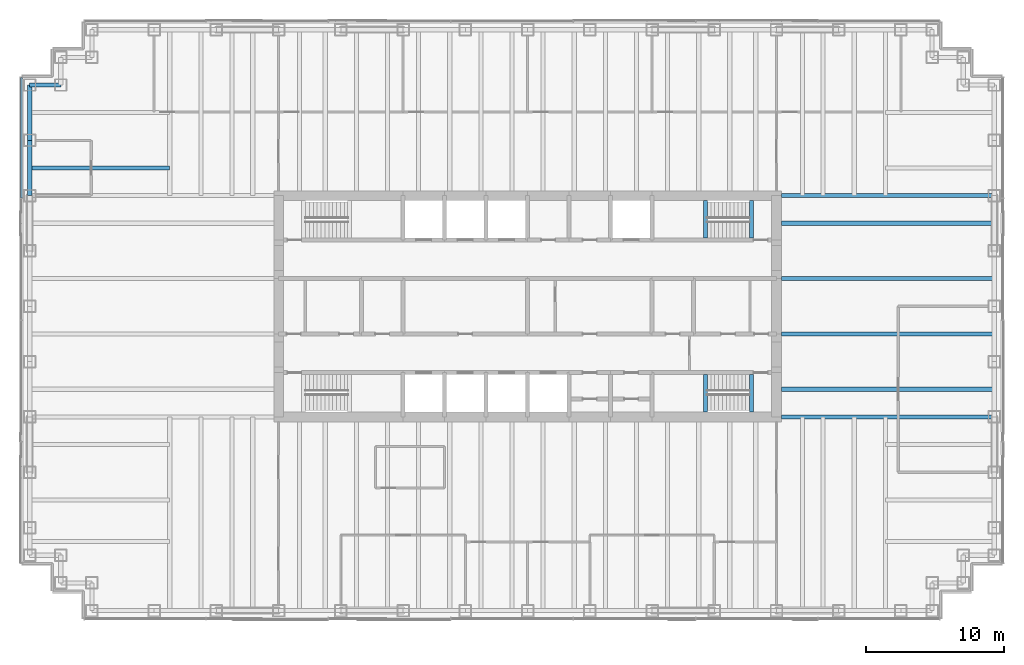
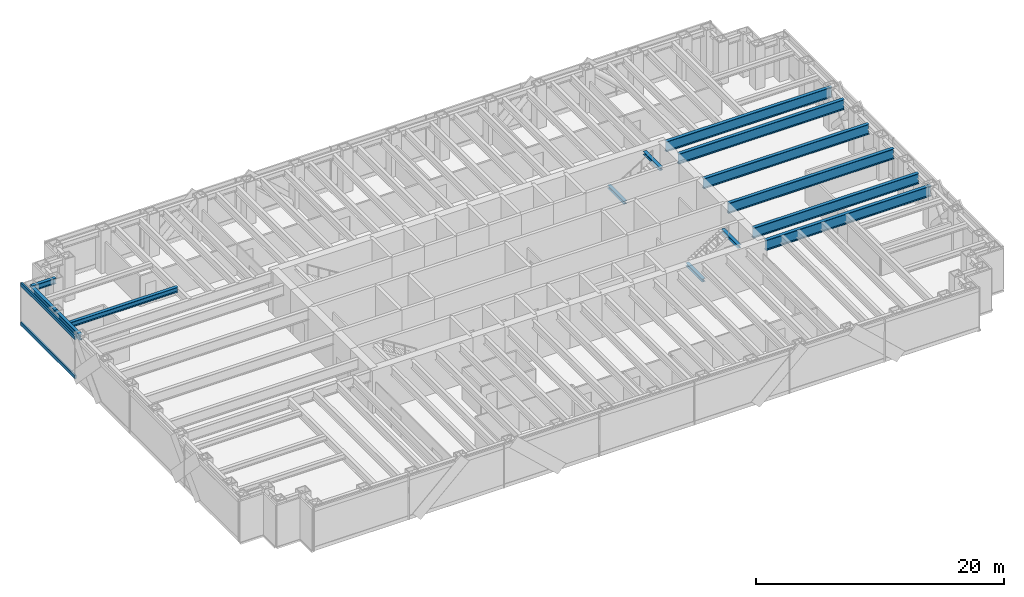
# One storey, part 5 of 17: 14 beams, 2 members, 1 element without a shape of its own.
"""IFC4 building model written with IfcOpenShell, lengths in metres."""

from ifc_helpers import new_model, si_unit, direction, frame, origin, origin_2d, place, context, subcontext, project, spatial, rectangle, i_section, extrude, material, material_profile, profile_set, type_object, element, aggregate, save


model = new_model("IFC4")

# Units and contexts
model_context = context("Model", 3, precision=1e-05, world=origin(), true_north=direction((0.0, 1.0)))
body_context = subcontext(model_context, "Body", "Model", "MODEL_VIEW")
ifc_project = project(units=[si_unit("LENGTHUNIT", "METRE"), si_unit("AREAUNIT", "SQUARE_METRE"), si_unit("VOLUMEUNIT", "CUBIC_METRE"), si_unit("PLANEANGLEUNIT", "RADIAN"), si_unit("MASSUNIT", "GRAM", prefix="KILO")], contexts=[model_context])

# Site, building, storey
site_placement = place(None, origin())
site = spatial("IfcSite", under=ifc_project, at=site_placement, CompositionType="ELEMENT")
building_placement = place(site_placement, origin())
building = spatial("IfcBuilding", under=site, at=building_placement, Name="Rheinbord Bourse Tower", CompositionType="ELEMENT")
storey_placement = place(building_placement, frame((0.0, 0.0, 283.699951171875)))
storey = spatial("IfcBuildingStorey", under=building, at=storey_placement, Name="L64", CompositionType="ELEMENT", Elevation=283.699951171875)

# Curtain wall, members
ifc_material_1 = material(Name="Dark glass and black aluminium", Category="aluminium")
curtain_wall_type = type_object("IfcCurtainWallType", Name="CW3 DARK GLASS CURTAIN WALL", PredefinedType="USERDEFINED", material=ifc_material_1)
curtain_wall_placement = place(storey_placement, origin())
curtain_wall = element("IfcCurtainWall", 1, at=curtain_wall_placement, inside=storey, type_object=curtain_wall_type, Name="Curtain wall CW3 W L64", ObjectType="UNITISED CURTAIN WALL", PredefinedType="USERDEFINED")
ifc_material_2 = material(Name="Black anodised aluminium", Category="aluminium")
ifc_material_profile_1 = material_profile(ifc_material_2, rectangle(XDim=0.14990234375, YDim=0.35009765625, at=origin_2d()), Name="CW3 TRANSOM 350x150")
ifc_profile_set_1 = profile_set([ifc_material_profile_1], Name="Black anodised aluminium")
member_type = type_object("IfcMemberType", Name="CW3 BLACK TRANSOM", PredefinedType="USERDEFINED", material=ifc_profile_set_1)
member_1_placement = place(storey_placement, frame((-0.60009765625, 40.534912109375, 0.175048828125), z_axis=(0.0, -1.0, 0.0), x_axis=(1.0, 0.0, 0.0)))
member_1 = element("IfcMember", 2, at=member_1_placement, type_object=member_type, Name="CW3 transom 1.1", ObjectType="TRANSOM", PredefinedType="USERDEFINED", context=body_context, shape_type="SweptSolid", body=[
    extrude(rectangle(XDim=0.14990234375, YDim=0.35009765625, at=origin_2d()), origin(), (0.0, 0.0, 1.0), 8.702392578125),
])
member_2_placement = place(storey_placement, frame((-0.60009765625, 40.534912109375, 4.025146484375), z_axis=(0.0, -1.0, 0.0), x_axis=(1.0, 0.0, 0.0)))
member_2 = element("IfcMember", 3, at=member_2_placement, type_object=member_type, Name="CW3 transom 1.2", ObjectType="TRANSOM", PredefinedType="USERDEFINED", context=body_context, shape_type="SweptSolid", body=[
    extrude(rectangle(XDim=0.14990234375, YDim=0.35009765625, at=origin_2d()), origin(), (0.0, 0.0, 1.0), 8.702392578125),
])
aggregate(curtain_wall, [member_1, member_2])

# Beams
ifc_material_3 = material(Name="Steel S460", Category="steel")
ifc_material_profile_2 = material_profile(ifc_material_3, i_section(OverallWidth=0.302001953125, OverallDepth=1.008056640625, WebThickness=0.02099609375, FlangeThickness=0.0400390625, at=origin_2d()), Name="HEM 1000")
ifc_profile_set_2 = profile_set([ifc_material_profile_2], Name="Steel S460")
beam_type_1 = type_object("IfcBeamType", Name="END BEAM HEM 1000", PredefinedType="BEAM", material=ifc_profile_set_2)
for number, where, z_axis, x_axis, name in (
    (4, (54.35009765625, 18.0, 3.5361328125), (1.0, 0.0, 0.0), (0.0, 1.0, 0.0), "End beam east 18 L65"),
    (5, (54.35009765625, 22.0, 3.5361328125), (1.0, 0.0, 0.0), (0.0, 1.0, 0.0), "End beam east 22 L65"),
    (6, (54.35009765625, 26.0, 3.5361328125), (1.0, 0.0, 0.0), (0.0, 1.0, 0.0), "End beam east 26 L65"),
    (7, (54.35009765625, 30.0, 3.5361328125), (1.0, 0.0, 0.0), (0.0, 1.0, 0.0), "End beam east 30 L65"),
):
    element("IfcBeam", number, at=place(storey_placement, frame(where, z_axis=z_axis, x_axis=x_axis)), inside=storey, type_object=beam_type_1, Name=name, PredefinedType="BEAM", context=body_context, shape_type="SweptSolid", body=[
        extrude(i_section(OverallWidth=0.302001953125, OverallDepth=1.008056640625, WebThickness=0.02099609375, FlangeThickness=0.0400390625, at=origin_2d()), origin(), (0.0, 0.0, 1.0), 15.39990234375),
    ])
ifc_material_4 = material(Name="Steel S460", Category="steel")
ifc_material_profile_3 = material_profile(ifc_material_4, i_section(OverallWidth=0.302001953125, OverallDepth=1.008056640625, WebThickness=0.02099609375, FlangeThickness=0.0400390625, at=origin_2d()), Name="HEM 1000")
ifc_profile_set_3 = profile_set([ifc_material_profile_3], Name="Steel S460")
beam_type_2 = type_object("IfcBeamType", Name="GIRDER HEM 1000", PredefinedType="BEAM", material=ifc_profile_set_3)
for number, where, z_axis, x_axis, name in (
    (8, (54.35009765625, 16.0, 3.5361328125), (1.0, 0.0, 0.0), (0.0, 1.0, 0.0), "Girder east 16 L65"),
    (9, (54.35009765625, 32.0, 3.5361328125), (1.0, 0.0, 0.0), (0.0, 1.0, 0.0), "Girder east 32 L65"),
):
    element("IfcBeam", number, at=place(storey_placement, frame(where, z_axis=z_axis, x_axis=x_axis)), inside=storey, type_object=beam_type_2, Name=name, PredefinedType="BEAM", context=body_context, shape_type="SweptSolid", body=[
        extrude(i_section(OverallWidth=0.302001953125, OverallDepth=1.008056640625, WebThickness=0.02099609375, FlangeThickness=0.0400390625, at=origin_2d()), origin(), (0.0, 0.0, 1.0), 15.39990234375),
    ])
ifc_material_5 = material(Name="Steel S460", Category="steel")
ifc_material_profile_4 = material_profile(ifc_material_5, i_section(OverallWidth=0.300048828125, OverallDepth=0.300048828125, WebThickness=0.010986328125, FlangeThickness=0.01904296875, at=origin_2d()), Name="HEB 300")
ifc_profile_set_4 = profile_set([ifc_material_profile_4], Name="Steel S460")
beam_type_3 = type_object("IfcBeamType", Name="LANDING TRIMMER HEB 300", PredefinedType="BEAM", material=ifc_profile_set_4)
for number, where, z_axis, x_axis, name in (
    (10, (48.8701171875, 16.35009765625, 1.75), (0.0, 1.0, 0.0), (-1.0, 0.0, 0.0), "Landing trimmer ST3 L64"),
    (11, (52.199951171875, 16.35009765625, 3.89013671875), (0.0, 1.0, 0.0), (-1.0, 0.0, 0.0), "Well trimmer ST3 under L65"),
    (12, (48.8701171875, 28.949951171875, 1.75), (0.0, 1.0, 0.0), (-1.0, 0.0, 0.0), "Landing trimmer ST4 L64"),
    (13, (52.199951171875, 28.949951171875, 3.89013671875), (0.0, 1.0, 0.0), (-1.0, 0.0, 0.0), "Well trimmer ST4 under L65"),
):
    element("IfcBeam", number, at=place(storey_placement, frame(where, z_axis=z_axis, x_axis=x_axis)), inside=storey, type_object=beam_type_3, Name=name, PredefinedType="BEAM", context=body_context, shape_type="SweptSolid", body=[
        extrude(i_section(OverallWidth=0.300048828125, OverallDepth=0.300048828125, WebThickness=0.010986328125, FlangeThickness=0.01904296875, at=origin_2d()), origin(), (0.0, 0.0, 1.0), 2.699951171875),
    ])
ifc_material_6 = material(Name="Steel S460", Category="steel")
ifc_material_profile_5 = material_profile(ifc_material_6, i_section(OverallWidth=0.300048828125, OverallDepth=0.550048828125, WebThickness=0.014892578125, FlangeThickness=0.029052734375, at=origin_2d()), Name="HEB 550")
ifc_profile_set_5 = profile_set([ifc_material_profile_5], Name="Steel S460")
beam_type_4 = type_object("IfcBeamType", Name="SPANDREL HEB 550", PredefinedType="SPANDREL", material=ifc_profile_set_5)
beam_1_placement = place(storey_placement, frame((2.25, 40.0, 3.76513671875), z_axis=(-1.0, 0.0, 0.0), x_axis=(0.0, -1.0, 0.0)))
element("IfcBeam", 14, at=beam_1_placement, inside=storey, type_object=beam_type_4, Name="Spandrel NW-B-NW-A under L65", PredefinedType="SPANDREL", context=body_context, shape_type="SweptSolid", body=[
    extrude(i_section(OverallWidth=0.300048828125, OverallDepth=0.550048828125, WebThickness=0.014892578125, FlangeThickness=0.029052734375, at=origin_2d()), origin(), (0.0, 0.0, 1.0), 2.25),
])
for number, where, z_axis, x_axis, name in (
    (15, (0.0, 40.0, 3.76513671875), (0.0, -1.0, 0.0), (1.0, 0.0, 0.0), "Spandrel NW-A-W-36 under L65"),
    (16, (0.0, 36.0, 3.76513671875), (0.0, -1.0, 0.0), (1.0, 0.0, 0.0), "Spandrel W-36-W-32 under L65"),
):
    element("IfcBeam", number, at=place(storey_placement, frame(where, z_axis=z_axis, x_axis=x_axis)), inside=storey, type_object=beam_type_4, Name=name, PredefinedType="SPANDREL", context=body_context, shape_type="SweptSolid", body=[
        extrude(i_section(OverallWidth=0.300048828125, OverallDepth=0.550048828125, WebThickness=0.014892578125, FlangeThickness=0.029052734375, at=origin_2d()), origin(), (0.0, 0.0, 1.0), 4.0),
    ])
ifc_material_7 = material(Name="Steel S460", Category="steel")
ifc_material_profile_6 = material_profile(ifc_material_7, i_section(OverallWidth=0.300048828125, OverallDepth=0.5, WebThickness=0.014404296875, FlangeThickness=0.028076171875, at=origin_2d()), Name="HEB 500")
ifc_profile_set_6 = profile_set([ifc_material_profile_6], Name="Steel S460")
beam_type_5 = type_object("IfcBeamType", Name="TIE BEAM HEB 500", PredefinedType="JOIST", material=ifc_profile_set_6)
beam_2_placement = place(storey_placement, frame((0.0, 34.0, 3.7900390625), z_axis=(1.0, 0.0, 0.0), x_axis=(0.0, 1.0, 0.0)))
element("IfcBeam", 17, at=beam_2_placement, inside=storey, type_object=beam_type_5, Name="Tie west 34 L65", PredefinedType="JOIST", context=body_context, shape_type="SweptSolid", body=[
    extrude(i_section(OverallWidth=0.300048828125, OverallDepth=0.5, WebThickness=0.014404296875, FlangeThickness=0.028076171875, at=origin_2d()), origin(), (0.0, 0.0, 1.0), 10.125),
])

save(model, "model.ifc")
